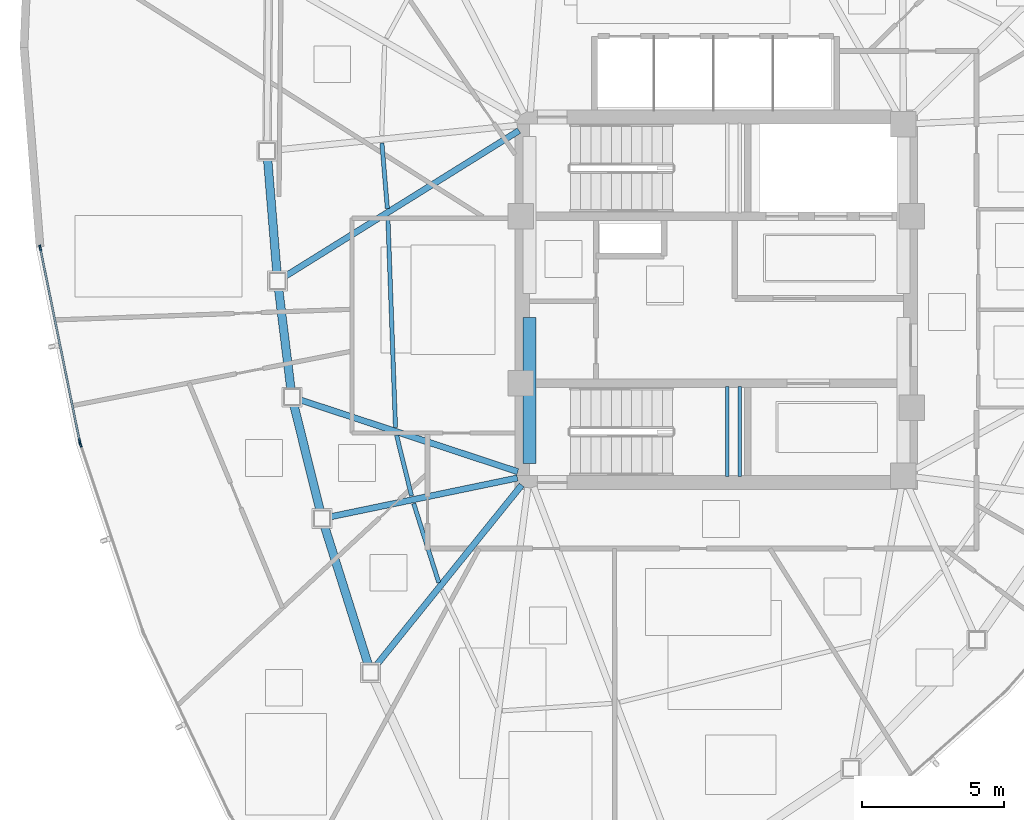
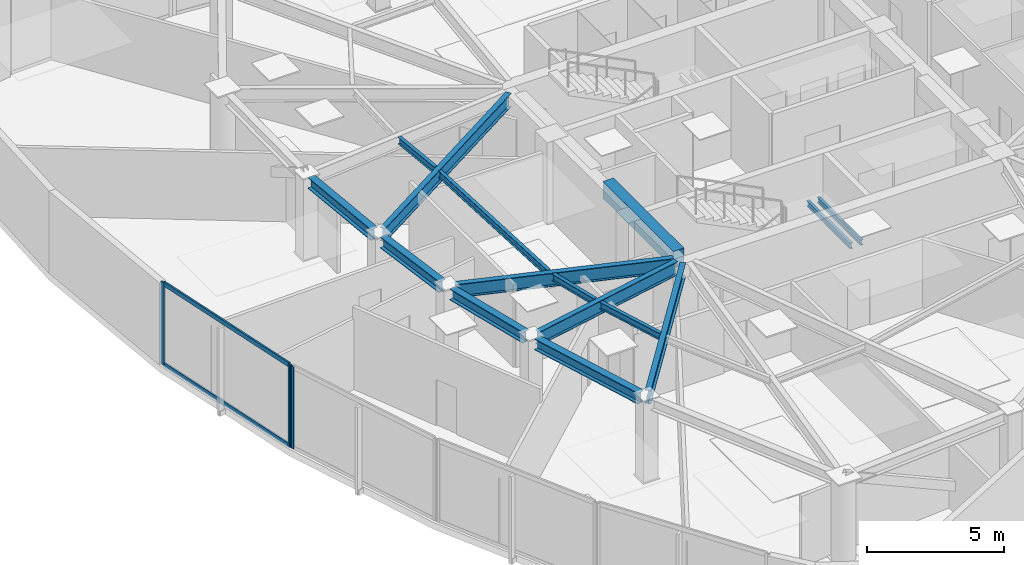
# One storey, part 4 of 15: 15 beams, 5 members, 2 elements without a shape of their own.
"""IFC4 building model written with IfcOpenShell, lengths in metres."""

from ifc_helpers import new_model, si_unit, direction, frame, origin, origin_2d, place, context, subcontext, project, spatial, rectangle, hollow_rectangle, i_section, extrude, source, transform, mapped, material, layer, layer_set, material_profile, profile_set, type_object, type_shapes, element, aggregate, save


model = new_model("IFC4")

# Units and contexts
model_context = context("Model", 3, precision=1e-05, world=origin(), true_north=direction((0.0, 1.0)))
body_context = subcontext(model_context, "Body", "Model", "MODEL_VIEW")
ifc_project = project(units=[si_unit("LENGTHUNIT", "METRE"), si_unit("AREAUNIT", "SQUARE_METRE"), si_unit("VOLUMEUNIT", "CUBIC_METRE"), si_unit("PLANEANGLEUNIT", "RADIAN"), si_unit("MASSUNIT", "GRAM", prefix="KILO")], contexts=[model_context])

# Site, building, storey
site_placement = place(None, origin())
site = spatial("IfcSite", under=ifc_project, at=site_placement, CompositionType="ELEMENT")
building_placement = place(site_placement, origin())
building = spatial("IfcBuilding", under=site, at=building_placement, Name="Tavelor Broadcast Tower", CompositionType="ELEMENT")
storey_placement = place(building_placement, frame((0.0, 0.0, 230.050048828125)))
storey = spatial("IfcBuildingStorey", under=building, at=storey_placement, Name="L54", CompositionType="ELEMENT", Elevation=230.050048828125)

# Beams
ifc_material_1 = material(Name="Concrete C40/50", Category="concrete")
ifc_material_profile_1 = material_profile(ifc_material_1, rectangle(XDim=0.449951171875, YDim=0.75, at=origin_2d()), Name="RC 450x750")
ifc_profile_set_1 = profile_set([ifc_material_profile_1], Name="Concrete C40/50")
beam_type_1 = type_object("IfcBeamType", Name="Basement Core Trim Beam 450x750", PredefinedType="BEAM", material=ifc_profile_set_1)
beam_1_placement = place(storey_placement, frame((43.39990234375, 39.23193359375, 3.27490234375), z_axis=(0.0, 1.0, 0.0), x_axis=(-1.0, 0.0, 0.0)))
element("IfcBeam", 1, at=beam_1_placement, inside=storey, type_object=beam_type_1, Name="L54 Core West-S Tie Girder", PredefinedType="BEAM", context=body_context, shape_type="SweptSolid", body=[
    extrude(rectangle(XDim=0.449951171875, YDim=0.75, at=origin_2d()), origin(), (0.0, 0.0, 1.0), 5.135986328125),
])
ifc_material_2 = material(Name="Steel S355", Category="steel")
ifc_material_profile_2 = material_profile(ifc_material_2, i_section(OverallWidth=0.14990234375, OverallDepth=0.300048828125, WebThickness=0.007080078125, FlangeThickness=0.0107421875, at=origin_2d()), Name="IPE 300")
ifc_profile_set_2 = profile_set([ifc_material_profile_2], Name="Steel S355")
beam_type_2 = type_object("IfcBeamType", Name="Composite Floor Joist T5 IPE 300", PredefinedType="JOIST", material=ifc_profile_set_2)
beam_2_placement = place(storey_placement, frame((38.19580078125, 50.529541015625, 3.5), z_axis=(0.082940684636, -0.996554485631, 0.0), x_axis=(0.996554485631, 0.082940684636, 0.0)))
element("IfcBeam", 2, at=beam_2_placement, inside=storey, type_object=beam_type_2, Name="L54 Secondary Composite Floor Joist 02", PredefinedType="JOIST", context=body_context, shape_type="SweptSolid", body=[
    extrude(i_section(OverallWidth=0.14990234375, OverallDepth=0.300048828125, WebThickness=0.007080078125, FlangeThickness=0.0107421875, at=origin_2d()), origin(), (0.0, 0.0, 1.0), 2.313720703125),
])
beam_3_placement = place(storey_placement, frame((38.404296875, 47.945556640625, 3.5), z_axis=(0.036223057878, -0.999343729694, 0.0), x_axis=(0.999343729694, 0.036223057878, 0.0)))
element("IfcBeam", 3, at=beam_3_placement, inside=storey, type_object=beam_type_2, Name="L54 Secondary Composite Floor Joist 03", PredefinedType="JOIST", context=body_context, shape_type="SweptSolid", body=[
    extrude(i_section(OverallWidth=0.14990234375, OverallDepth=0.300048828125, WebThickness=0.007080078125, FlangeThickness=0.0107421875, at=origin_2d()), origin(), (0.0, 0.0, 1.0), 7.454345703125),
])
beam_4_placement = place(storey_placement, frame((38.712646484375, 40.221435546875, 3.5), z_axis=(0.239592093356, -0.970873642037, 0.0), x_axis=(0.970873642037, 0.239592093356, 0.0)))
element("IfcBeam", 4, at=beam_4_placement, inside=storey, type_object=beam_type_2, Name="L54 Secondary Composite Floor Joist 04", PredefinedType="JOIST", context=body_context, shape_type="SweptSolid", body=[
    extrude(i_section(OverallWidth=0.14990234375, OverallDepth=0.300048828125, WebThickness=0.007080078125, FlangeThickness=0.0107421875, at=origin_2d()), origin(), (0.0, 0.0, 1.0), 2.2060546875),
])
beam_5_placement = place(storey_placement, frame((39.316650390625, 37.811279296875, 3.5), z_axis=(0.302412009178, -0.953177306017, 0.0), x_axis=(0.953177306017, 0.302412009178, 0.0)))
element("IfcBeam", 5, at=beam_5_placement, inside=storey, type_object=beam_type_2, Name="L54 Secondary Composite Floor Joist 05", PredefinedType="JOIST", context=body_context, shape_type="SweptSolid", body=[
    extrude(i_section(OverallWidth=0.14990234375, OverallDepth=0.300048828125, WebThickness=0.007080078125, FlangeThickness=0.0107421875, at=origin_2d()), origin(), (0.0, 0.0, 1.0), 2.92822265625),
])
ifc_material_profile_3 = material_profile(ifc_material_2, i_section(OverallWidth=0.300048828125, OverallDepth=0.489990234375, WebThickness=0.011962890625, FlangeThickness=0.02294921875, at=origin_2d()), Name="HEA 500")
ifc_profile_set_3 = profile_set([ifc_material_profile_3], Name="Steel S355")
beam_type_3 = type_object("IfcBeamType", Name="Perimeter Spandrel Beam T5 HEA 500", PredefinedType="SPANDREL", material=ifc_profile_set_3)
beam_6_placement = place(storey_placement, frame((34.16064453125, 49.968994140625, 3.405029296875), z_axis=(0.081762275835, -0.996651860105, 0.0), x_axis=(0.996651860105, 0.081762275835, 0.0)))
element("IfcBeam", 6, at=beam_6_placement, inside=storey, type_object=beam_type_3, Name="L54 Framed-Tube Ring Spandrel 02", PredefinedType="SPANDREL", context=body_context, shape_type="SweptSolid", body=[
    extrude(i_section(OverallWidth=0.300048828125, OverallDepth=0.489990234375, WebThickness=0.011962890625, FlangeThickness=0.02294921875, at=origin_2d()), origin(), (0.0, 0.0, 1.0), 4.031005859375),
])
beam_7_placement = place(storey_placement, frame((34.548828125, 45.378662109375, 3.405029296875), z_axis=(0.122285270418, -0.99249499376, 0.0), x_axis=(0.99249499376, 0.122285270418, 0.0)))
element("IfcBeam", 7, at=beam_7_placement, inside=storey, type_object=beam_type_3, Name="L54 Framed-Tube Ring Spandrel 03", PredefinedType="SPANDREL", context=body_context, shape_type="SweptSolid", body=[
    extrude(i_section(OverallWidth=0.300048828125, OverallDepth=0.489990234375, WebThickness=0.011962890625, FlangeThickness=0.02294921875, at=origin_2d()), origin(), (0.0, 0.0, 1.0), 3.5556640625),
])
beam_8_placement = place(storey_placement, frame((35.08837890625, 41.284423828125, 3.405029296875), z_axis=(0.24127750007, -0.970456164883, 0.0), x_axis=(0.970456164883, 0.24127750007, 0.0)))
element("IfcBeam", 8, at=beam_8_placement, inside=storey, type_object=beam_type_3, Name="L54 Framed-Tube Ring Spandrel 04", PredefinedType="SPANDREL", context=body_context, shape_type="SweptSolid", body=[
    extrude(i_section(OverallWidth=0.300048828125, OverallDepth=0.489990234375, WebThickness=0.011962890625, FlangeThickness=0.02294921875, at=origin_2d()), origin(), (0.0, 0.0, 1.0), 3.8359375),
])
beam_9_placement = place(storey_placement, frame((36.170166015625, 37.0078125, 3.405029296875), z_axis=(0.300957826527, -0.95363745032, 0.0), x_axis=(0.95363745032, 0.300957826527, 0.0)))
element("IfcBeam", 9, at=beam_9_placement, inside=storey, type_object=beam_type_3, Name="L54 Framed-Tube Ring Spandrel 05", PredefinedType="SPANDREL", context=body_context, shape_type="SweptSolid", body=[
    extrude(i_section(OverallWidth=0.300048828125, OverallDepth=0.489990234375, WebThickness=0.011962890625, FlangeThickness=0.02294921875, at=origin_2d()), origin(), (0.0, 0.0, 1.0), 5.1171875),
])
ifc_material_profile_4 = material_profile(ifc_material_2, i_section(OverallWidth=0.219970703125, OverallDepth=0.60009765625, WebThickness=0.011962890625, FlangeThickness=0.01904296875, at=origin_2d()), Name="IPE 600")
ifc_profile_set_4 = profile_set([ifc_material_profile_4], Name="Steel S355")
beam_type_4 = type_object("IfcBeamType", Name="Radial Floor Girder T5 IPE 600", PredefinedType="BEAM", material=ifc_profile_set_4)
beam_10_placement = place(storey_placement, frame((43.033203125, 50.9716796875, 3.349853515625), z_axis=(-0.848782406462, -0.528742306309, 0.0), x_axis=(0.528742306309, -0.848782406462, 0.0)))
element("IfcBeam", 10, at=beam_10_placement, inside=storey, type_object=beam_type_4, Name="L54 Radial Primary Floor Girder 03", PredefinedType="BEAM", context=body_context, shape_type="SweptSolid", body=[
    extrude(i_section(OverallWidth=0.219970703125, OverallDepth=0.60009765625, WebThickness=0.011962890625, FlangeThickness=0.01904296875, at=origin_2d()), origin(), (0.0, 0.0, 1.0), 9.7490234375),
])
beam_11_placement = place(storey_placement, frame((42.98974609375, 38.935302734375, 3.349853515625), z_axis=(-0.949693529109, 0.313180779692, 0.0), x_axis=(-0.313180779692, -0.949693529109, 0.0)))
element("IfcBeam", 11, at=beam_11_placement, inside=storey, type_object=beam_type_4, Name="L54 Radial Primary Floor Girder 04", PredefinedType="BEAM", context=body_context, shape_type="SweptSolid", body=[
    extrude(i_section(OverallWidth=0.219970703125, OverallDepth=0.60009765625, WebThickness=0.011962890625, FlangeThickness=0.01904296875, at=origin_2d()), origin(), (0.0, 0.0, 1.0), 8.10498046875),
])
beam_12_placement = place(storey_placement, frame((42.97705078125, 38.71240234375, 3.349853515625), z_axis=(-0.979152429868, -0.203126854658, 0.0), x_axis=(0.203126854658, -0.979152429868, 0.0)))
element("IfcBeam", 12, at=beam_12_placement, inside=storey, type_object=beam_type_4, Name="L54 Radial Primary Floor Girder 05", PredefinedType="BEAM", context=body_context, shape_type="SweptSolid", body=[
    extrude(i_section(OverallWidth=0.219970703125, OverallDepth=0.60009765625, WebThickness=0.011962890625, FlangeThickness=0.01904296875, at=origin_2d()), origin(), (0.0, 0.0, 1.0), 6.75244140625),
])
beam_13_placement = place(storey_placement, frame((43.12890625, 38.463623046875, 3.349853515625), z_axis=(-0.627821660469, -0.778357220463, 0.0), x_axis=(0.778357220463, -0.627821660469, 0.0)))
element("IfcBeam", 13, at=beam_13_placement, inside=storey, type_object=beam_type_4, Name="L54 Radial Primary Floor Girder 06", PredefinedType="BEAM", context=body_context, shape_type="SweptSolid", body=[
    extrude(i_section(OverallWidth=0.219970703125, OverallDepth=0.60009765625, WebThickness=0.011962890625, FlangeThickness=0.01904296875, at=origin_2d()), origin(), (0.0, 0.0, 1.0), 8.204833984375),
])
ifc_material_profile_5 = material_profile(ifc_material_2, i_section(OverallWidth=0.1201171875, OverallDepth=0.239990234375, WebThickness=0.006103515625, FlangeThickness=0.009765625, at=origin_2d()), Name="IPE 240")
ifc_profile_set_5 = profile_set([ifc_material_profile_5], Name="Steel S355")
beam_type_5 = type_object("IfcBeamType", Name="Stairwell Landing Support Trimmer Beam IPE240", PredefinedType="BEAM", material=ifc_profile_set_5)
for number, where, z_axis, x_axis, name in (
    (14, (50.385009765625, 38.760009765625, 1.659912109375), (0.0, 1.0, 0.0), (-1.0, 0.0, 0.0), "L54 Stair Landing Support Beam 363"),
    (15, (50.824951171875, 38.760009765625, 1.659912109375), (0.0, 1.0, 0.0), (-1.0, 0.0, 0.0), "L54 Stair Landing Support Beam 364"),
):
    element("IfcBeam", number, at=place(storey_placement, frame(where, z_axis=z_axis, x_axis=x_axis)), inside=storey, type_object=beam_type_5, Name=name, PredefinedType="BEAM", context=body_context, shape_type="SweptSolid", body=[
        extrude(i_section(OverallWidth=0.1201171875, OverallDepth=0.239990234375, WebThickness=0.006103515625, FlangeThickness=0.009765625, at=origin_2d()), origin(), (0.0, 0.0, 1.0), 3.179931640625),
    ])

# Curtain wall, members
ifc_material_3 = material(Name="Architectural Anodized Aluminium", Category="aluminium")
ifc_layer = layer(ifc_material_3, 0.199951171875)
ifc_layer_set = layer_set([ifc_layer], Name="Architectural Anodized Aluminium")
curtain_wall_type = type_object("IfcCurtainWallType", Name="Tower High-Zone Triple-Glazed Curtain Wall CW04", PredefinedType="NOTDEFINED", material=ifc_layer_set)
curtain_wall_1_placement = place(storey_placement, origin())
curtain_wall_1 = element("IfcCurtainWall", 16, at=curtain_wall_1_placement, inside=storey, type_object=curtain_wall_type, Name="L54 Curtain Wall CW04 Run 577", PredefinedType="NOTDEFINED")
ifc_material_profile_6 = material_profile(ifc_material_3, hollow_rectangle(XDim=0.070068359375, YDim=0.199951171875, WallThickness=0.02197265625, at=origin_2d()), Name="RHS 70x200x22")
ifc_profile_set_6 = profile_set([ifc_material_profile_6], Name="Architectural Anodized Aluminium")
member_type_1 = type_object("IfcMemberType", Name="CW04 Extruded Aluminium Mullion 70x200", PredefinedType="MULLION", material=ifc_profile_set_6)
shared_shape_1 = source(origin(), body_context, "Body", "SweptSolid", [
    extrude(hollow_rectangle(XDim=0.070068359375, YDim=0.199951171875, WallThickness=0.02197265625, at=origin_2d()), origin(), (0.0, 0.0, 1.0), 3.64990234375),
])
type_shapes(member_type_1, [shared_shape_1])
member_1_placement = place(storey_placement, frame((26.13330078125, 46.837158203125, 0.0), z_axis=(0.0, 0.0, 1.0), x_axis=(0.979839248599, 0.199787504378, 0.0)))
member_1 = element("IfcMember", 17, at=member_1_placement, type_object=member_type_1, Name="CW04 mullion 1", PredefinedType="MULLION", context=body_context, shape_type="MappedRepresentation", body=[
    mapped(shared_shape_1, transform((0.0, 0.0, 0.0), scale=1.0)),
])
member_2_placement = place(storey_placement, frame((27.5283203125, 39.994873046875, 0.0), z_axis=(0.0, 0.0, 1.0), x_axis=(0.979839248599, 0.199787504378, 0.0)))
member_2 = element("IfcMember", 18, at=member_2_placement, type_object=member_type_1, Name="CW04 mullion 2", PredefinedType="MULLION", context=body_context, shape_type="MappedRepresentation", body=[
    mapped(shared_shape_1, transform((0.0, 0.0, 0.0), scale=1.0)),
])

# Curtain wall, member
curtain_wall_2_placement = place(storey_placement, origin())
curtain_wall_2 = element("IfcCurtainWall", 19, at=curtain_wall_2_placement, inside=storey, type_object=curtain_wall_type, Name="L54 Curtain Wall CW04 Run 578", PredefinedType="NOTDEFINED")
member_3_placement = place(storey_placement, frame((27.55419921875, 39.898681640625, 0.0), z_axis=(0.0, 0.0, 1.0), x_axis=(0.948459985212, 0.316896917705, 0.0)))
member_3 = element("IfcMember", 20, at=member_3_placement, type_object=member_type_1, Name="CW04 mullion 1", PredefinedType="MULLION", context=body_context, shape_type="MappedRepresentation", body=[
    mapped(shared_shape_1, transform((0.0, 0.0, 0.0), scale=1.0)),
])
aggregate(curtain_wall_2, [member_3])

# Member
ifc_material_profile_7 = material_profile(ifc_material_3, hollow_rectangle(XDim=0.070068359375, YDim=0.199951171875, WallThickness=0.02197265625, at=origin_2d()), Name="RHS 70x200x22")
ifc_profile_set_7 = profile_set([ifc_material_profile_7], Name="Architectural Anodized Aluminium")
member_type_2 = type_object("IfcMemberType", Name="CW04 Extruded Aluminium Transom 70x200", PredefinedType="USERDEFINED", material=ifc_profile_set_7)
shared_shape_2 = source(origin(), body_context, "Body", "SweptSolid", [
    extrude(hollow_rectangle(XDim=0.070068359375, YDim=0.199951171875, WallThickness=0.02197265625, at=origin_2d()), origin(), (0.0, 0.0, 1.0), 6.9130859375),
])
type_shapes(member_type_2, [shared_shape_2])
member_4_placement = place(storey_placement, frame((26.14013671875, 46.802978515625, 0.034912109375), z_axis=(0.199782186456, -0.979840332899, 0.0), x_axis=(0.979840332899, 0.199782186456, 0.0)))
member_4 = element("IfcMember", 21, at=member_4_placement, type_object=member_type_2, Name="CW04 transom 1.1", ObjectType="TRANSOM", PredefinedType="USERDEFINED", context=body_context, shape_type="MappedRepresentation", body=[
    mapped(shared_shape_2, transform((0.0, 0.0, 0.0), scale=1.0)),
])

member_5_placement = place(storey_placement, frame((26.14013671875, 46.802978515625, 3.614990234375), z_axis=(0.199782186456, -0.979840332899, 0.0), x_axis=(0.979840332899, 0.199782186456, 0.0)))
member_5 = element("IfcMember", 22, at=member_5_placement, type_object=member_type_2, Name="CW04 transom 1.2", ObjectType="TRANSOM", PredefinedType="USERDEFINED", context=body_context, shape_type="MappedRepresentation", body=[
    mapped(shared_shape_2, transform((0.0, 0.0, 0.0), scale=1.0)),
])

aggregate(curtain_wall_1, [member_1, member_2, member_4, member_5])

save(model, "model.ifc")
